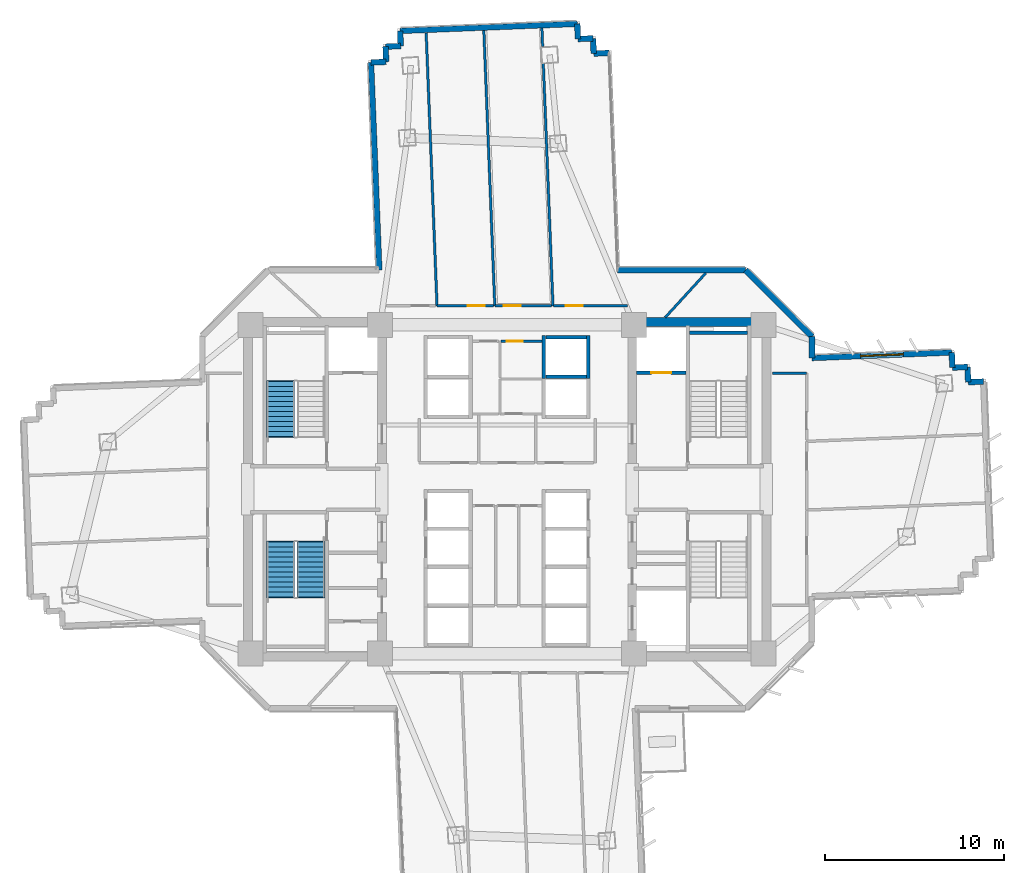
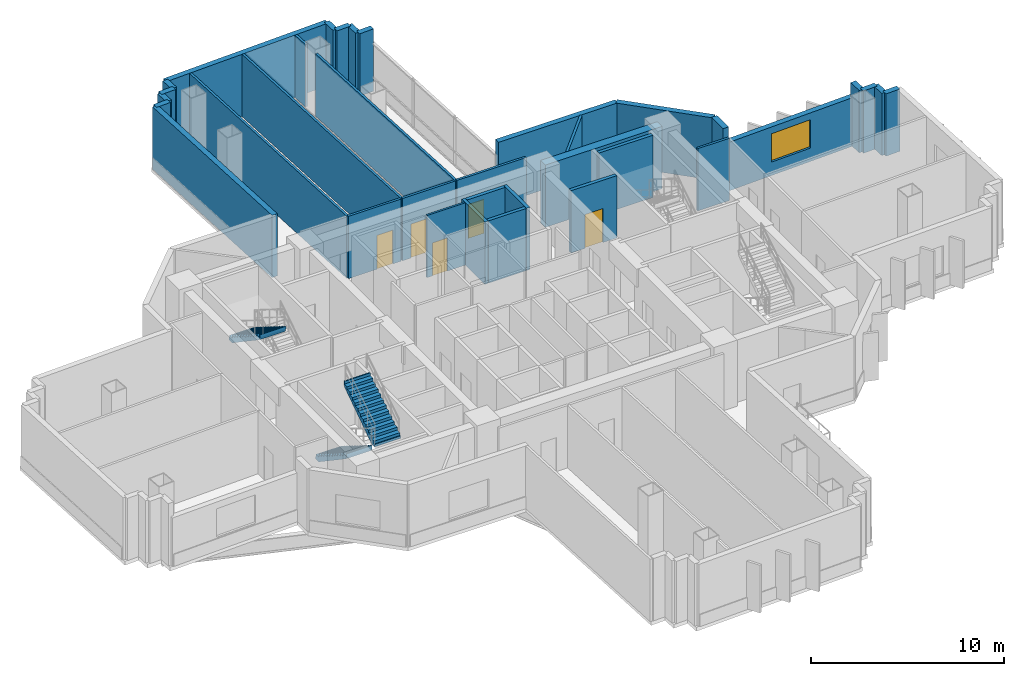
# One storey, part 10 of 16: 35 walls, 5 doors, 3 stair flights, 1 window, 6 openings, 2 elements without a shape of their own.
"""IFC4 building model written with IfcOpenShell, lengths in metres."""

from ifc_helpers import new_model, si_unit, direction, frame, frame_2d, origin, place, context, subcontext, project, spatial, polyline, rectangle, outline, extrude, source, transform, mapped, material, layer, layer_set, type_object, element, fill, aggregate, save


model = new_model("IFC4")

# Units and contexts
model_context = context("Model", 3, precision=1e-05, world=origin(), true_north=direction((0.0, 1.0)))
body_context = subcontext(model_context, "Body", "Model", "MODEL_VIEW")
ifc_project = project(units=[si_unit("LENGTHUNIT", "METRE"), si_unit("AREAUNIT", "SQUARE_METRE"), si_unit("VOLUMEUNIT", "CUBIC_METRE"), si_unit("PLANEANGLEUNIT", "RADIAN"), si_unit("MASSUNIT", "GRAM", prefix="KILO")], contexts=[model_context])

# Site, building, storey
site_placement = place(None, origin())
site = spatial("IfcSite", under=ifc_project, at=site_placement, CompositionType="ELEMENT")
building_placement = place(site_placement, origin())
building = spatial("IfcBuilding", under=site, at=building_placement, Name="Zahravan Cultural Tower", CompositionType="ELEMENT")
storey_placement = place(building_placement, frame((0.0, 0.0, 62.699951171875)))
storey = spatial("IfcBuildingStorey", under=building, at=storey_placement, Name="L13", CompositionType="ELEMENT", Elevation=62.699951171875)

# Wall, opening, window
ifc_material_1 = material(Name="Precast concrete C40/50", Category="concrete")
ifc_layer_1 = layer(ifc_material_1, 0.320068359375)
ifc_layer_set_1 = layer_set([ifc_layer_1], Name="Precast concrete C40/50")
wall_type_1 = type_object("IfcWallType", Name="EW-TC-320", PredefinedType="SOLIDWALL", material=ifc_layer_set_1)
wall_1_placement = place(storey_placement, frame((53.06005859375, 34.344482421875, 0.0), z_axis=(0.0, 0.0, 1.0), x_axis=(0.999208917222, 0.039768577336, 0.0)))
wall_1 = element("IfcWall", 1, at=wall_1_placement, inside=storey, type_object=wall_type_1, Name="L13 Exterior Masonry Frame Wall 01", PredefinedType="SOLIDWALL", context=body_context, shape_type="SweptSolid", body=[
    extrude(rectangle(XDim=7.821044921875, YDim=0.320068359375, at=frame_2d((3.91064453125, 0.0))), origin(), (0.0, 0.0, 1.0), 3.080078125),
])
opening_1_placement = place(wall_1_placement, frame((2.7109375, 0.0, 0.85009765625)))
opening_1 = element("IfcOpeningElement", 2, at=opening_1_placement, cuts=wall_1, Name="Opening WN-01", PredefinedType="OPENING", context=body_context, shape_type="SweptSolid", body=[
    extrude(rectangle(XDim=2.39990234375, YDim=1.800048828125, at=frame_2d((1.199951171875, 0.89990234375))), frame((0.0, 0.169921875, 0.0), z_axis=(0.0, -1.0, 0.0), x_axis=(1.0, 0.0, 0.0)), (0.0, 0.0, 1.0), 0.340087890625),
])
ifc_material_2 = material(Name="Low-E solar-control double glazing", Category="glass")
window_type = type_object("IfcWindowType", Name="WN-REC-2400X1800", PartitioningType="DOUBLE_PANEL_VERTICAL", PredefinedType="WINDOW", material=ifc_material_2)
shared_shape_1 = source(origin(), body_context, "Body", "SweptSolid", [
    extrude(rectangle(XDim=2.39990234375, YDim=1.800048828125, at=frame_2d((1.199951171875, 0.89990234375))), frame((0.0, 0.030029296875, 0.0), z_axis=(0.0, -1.0, 0.0), x_axis=(1.0, 0.0, 0.0)), (0.0, 0.0, 1.0), 0.06005859375),
])
window_placement = place(opening_1_placement, origin())
window = element("IfcWindow", 3, at=window_placement, inside=storey, type_object=window_type, Name="L13 Recessed Solar Window 01", OverallHeight=1.800048828125, OverallWidth=2.39990234375, PartitioningType="DOUBLE_PANEL_VERTICAL", PredefinedType="WINDOW", context=body_context, shape_type="MappedRepresentation", body=[
    mapped(shared_shape_1, transform((0.0, 0.0, 0.0), x_axis=(1.0, 0.0, 0.0), y_axis=(0.0, 1.0, 0.0), z_axis=(0.0, 0.0, 1.0), scale=1.0)),
])
fill(opening_1, window)

# Wall, opening, door
ifc_material_3 = material(Name="Gypsum plasterboard partition")
ifc_layer_2 = layer(ifc_material_3, 0.139892578125)
ifc_layer_set_2 = layer_set([ifc_layer_2], Name="Gypsum plasterboard partition")
wall_type_2 = type_object("IfcWallType", Name="W-PART-140", PredefinedType="PARTITIONING", material=ifc_layer_set_2)
wall_2_placement = place(storey_placement, frame((35.236083984375, 37.260009765625, 0.0), z_axis=(0.0, 0.0, 1.0), x_axis=(-1.0, 0.0, 0.0)))
wall_2 = element("IfcWall", 4, at=wall_2_placement, inside=storey, type_object=wall_type_2, Name="L13 Interior Wall 098", PredefinedType="PARTITIONING", context=body_context, shape_type="SweptSolid", body=[
    extrude(rectangle(XDim=3.157470703125, YDim=0.139892578125, at=frame_2d((1.57861328125, 0.0))), origin(), (0.0, 0.0, 1.0), 3.949951171875),
])
opening_2_placement = place(wall_2_placement, frame((0.485595703125, 0.0, 0.0)))
opening_2 = element("IfcOpeningElement", 5, at=opening_2_placement, cuts=wall_2, Name="Opening D-L13-26", PredefinedType="OPENING", context=body_context, shape_type="SweptSolid", body=[
    extrude(rectangle(XDim=0.949951171875, YDim=2.14990234375, at=frame_2d((0.47509765625, 1.074951171875))), frame((0.0, 0.079833984375, 0.0), z_axis=(0.0, -1.0, 0.0), x_axis=(1.0, 0.0, 0.0)), (0.0, 0.0, 1.0), 0.159912109375),
])
ifc_material_4 = material(Name="Anodised bronze-aluminium mullion", Category="aluminium")
door_type_1 = type_object("IfcDoorType", Name="DR-ROOM-950", OperationType="NOTDEFINED", PredefinedType="DOOR", material=ifc_material_4)
shared_shape_2 = source(origin(), body_context, "Body", "SweptSolid", [
    extrude(rectangle(XDim=0.949951171875, YDim=2.14990234375, at=frame_2d((0.47509765625, 1.074951171875))), frame((0.0, 0.02490234375, 0.0), z_axis=(0.0, -1.0, 0.0), x_axis=(1.0, 0.0, 0.0)), (0.0, 0.0, 1.0), 0.050048828125),
])
door_1_placement = place(opening_2_placement, origin())
door_1 = element("IfcDoor", 6, at=door_1_placement, inside=storey, type_object=door_type_1, Name="L13 Door D-L13-26", OperationType="SINGLE_SWING_RIGHT", OverallHeight=2.14990234375, OverallWidth=0.949951171875, PredefinedType="DOOR", context=body_context, shape_type="MappedRepresentation", body=[
    mapped(shared_shape_2, transform((0.0, 0.0, 0.0), x_axis=(1.0, 0.0, 0.0), y_axis=(0.0, 1.0, 0.0), z_axis=(0.0, 0.0, 1.0), scale=1.0)),
])
fill(opening_2, door_1)

wall_3_placement = place(storey_placement, frame((38.48876953125, 37.260009765625, 0.0), z_axis=(0.0, 0.0, 1.0), x_axis=(-1.0, 0.0, 0.0)))
wall_3 = element("IfcWall", 7, at=wall_3_placement, inside=storey, type_object=wall_type_2, Name="L13 Interior Wall 105", PredefinedType="PARTITIONING", context=body_context, shape_type="SweptSolid", body=[
    extrude(rectangle(XDim=3.157470703125, YDim=0.139892578125, at=frame_2d((1.57861328125, 0.0))), origin(), (0.0, 0.0, 1.0), 3.949951171875),
])
opening_3_placement = place(wall_3_placement, frame((1.7216796875, 0.0, 0.0)))
opening_3 = element("IfcOpeningElement", 8, at=opening_3_placement, cuts=wall_3, Name="Opening D-L13-25", PredefinedType="OPENING", context=body_context, shape_type="SweptSolid", body=[
    extrude(rectangle(XDim=0.949951171875, YDim=2.14990234375, at=frame_2d((0.47509765625, 1.074951171875))), frame((0.0, 0.079833984375, 0.0), z_axis=(0.0, -1.0, 0.0), x_axis=(1.0, 0.0, 0.0)), (0.0, 0.0, 1.0), 0.159912109375),
])
door_2_placement = place(opening_3_placement, origin())
door_2 = element("IfcDoor", 9, at=door_2_placement, inside=storey, type_object=door_type_1, Name="L13 Door D-L13-25", OperationType="SINGLE_SWING_LEFT", OverallHeight=2.14990234375, OverallWidth=0.949951171875, PredefinedType="DOOR", context=body_context, shape_type="MappedRepresentation", body=[
    mapped(shared_shape_2, transform((0.0, 0.0, 0.0), x_axis=(1.0, 0.0, 0.0), y_axis=(0.0, 1.0, 0.0), z_axis=(0.0, 0.0, 1.0), scale=1.0)),
])
fill(opening_3, door_2)

wall_4_placement = place(storey_placement, frame((42.742431640625, 37.259765625, 0.0), z_axis=(0.0, 0.0, 1.0), x_axis=(-0.999999998277, 5.8706117e-05, 0.0)))
wall_4 = element("IfcWall", 10, at=wall_4_placement, inside=storey, type_object=wall_type_2, Name="L13 Interior Wall 124", PredefinedType="PARTITIONING", context=body_context, shape_type="SweptSolid", body=[
    extrude(rectangle(XDim=4.15869140625, YDim=0.139892578125, at=frame_2d((2.079345703125, 0.0))), origin(), (0.0, 0.0, 1.0), 3.949951171875),
])
opening_4_placement = place(wall_4_placement, frame((2.502685546875, 0.0, 0.0)))
opening_4 = element("IfcOpeningElement", 11, at=opening_4_placement, cuts=wall_4, Name="Opening D-L13-24", PredefinedType="OPENING", context=body_context, shape_type="SweptSolid", body=[
    extrude(rectangle(XDim=0.949951171875, YDim=2.14990234375, at=frame_2d((0.47509765625, 1.074951171875))), frame((0.0, 0.079833984375, 0.0), z_axis=(0.0, -1.0, 0.0), x_axis=(1.0, 0.0, 0.0)), (0.0, 0.0, 1.0), 0.159912109375),
])
door_3_placement = place(opening_4_placement, origin())
door_3 = element("IfcDoor", 12, at=door_3_placement, inside=storey, type_object=door_type_1, Name="L13 Door D-L13-24", OperationType="SINGLE_SWING_RIGHT", OverallHeight=2.14990234375, OverallWidth=0.949951171875, PredefinedType="DOOR", context=body_context, shape_type="MappedRepresentation", body=[
    mapped(shared_shape_2, transform((0.0, 0.0, 0.0), x_axis=(1.0, 0.0, 0.0), y_axis=(0.0, 1.0, 0.0), z_axis=(0.0, 0.0, 1.0), scale=1.0)),
])
fill(opening_4, door_3)

ifc_material_5 = material(Name="Concrete C45/55", Category="concrete")
ifc_layer_3 = layer(ifc_material_5, 0.199951171875)
ifc_layer_set_3 = layer_set([ifc_layer_3], Name="Concrete C45/55")
wall_type_3 = type_object("IfcWallType", Name="W-SHAFT-200", PredefinedType="SOLIDWALL", material=ifc_layer_set_3)
wall_5_placement = place(storey_placement, frame((43.25, 33.52001953125, 0.0), z_axis=(0.0, 0.0, 1.0), x_axis=(1.0, 0.0, 0.0)))
wall_5 = element("IfcWall", 13, at=wall_5_placement, inside=storey, type_object=wall_type_3, Name="L13 Interior Wall 022", PredefinedType="SOLIDWALL", context=body_context, shape_type="SweptSolid", body=[
    extrude(rectangle(XDim=2.75, YDim=0.199951171875, at=frame_2d((1.375, 0.0))), origin(), (0.0, 0.0, 1.0), 3.949951171875),
])
opening_5_placement = place(wall_5_placement, frame((0.820068359375, 0.0, 0.0)))
opening_5 = element("IfcOpeningElement", 14, at=opening_5_placement, cuts=wall_5, Name="Opening LD-L13-02", PredefinedType="OPENING", context=body_context, shape_type="SweptSolid", body=[
    extrude(rectangle(XDim=1.10009765625, YDim=2.14990234375, at=frame_2d((0.550048828125, 1.074951171875))), frame((0.0, 0.10986328125, 0.0), z_axis=(0.0, -1.0, 0.0), x_axis=(1.0, 0.0, 0.0)), (0.0, 0.0, 1.0), 0.219970703125),
])
ifc_material_6 = material(Name="Steel ASTM A572 Grade 50", Category="steel")
door_type_2 = type_object("IfcDoorType", Name="DR-LIFT-1100", OperationType="DOUBLE_DOOR_SLIDING", PredefinedType="DOOR", material=ifc_material_6)
shared_shape_3 = source(origin(), body_context, "Body", "SweptSolid", [
    extrude(rectangle(XDim=1.10009765625, YDim=2.14990234375, at=frame_2d((0.550048828125, 1.074951171875))), frame((0.0, 0.02490234375, 0.0), z_axis=(0.0, -1.0, 0.0), x_axis=(1.0, 0.0, 0.0)), (0.0, 0.0, 1.0), 0.050048828125),
])
door_4_placement = place(opening_5_placement, origin())
door_4 = element("IfcDoor", 15, at=door_4_placement, inside=storey, type_object=door_type_2, Name="L13 Door LD-L13-02", OperationType="DOUBLE_DOOR_SLIDING", OverallHeight=2.14990234375, OverallWidth=1.10009765625, PredefinedType="DOOR", context=body_context, shape_type="MappedRepresentation", body=[
    mapped(shared_shape_3, transform((0.0, 0.0, 0.0), x_axis=(1.0, 0.0, 0.0), y_axis=(0.0, 1.0, 0.0), z_axis=(0.0, 0.0, 1.0), scale=1.0)),
])
fill(opening_5, door_4)

ifc_layer_4 = layer(ifc_material_3, 0.114990234375)
ifc_layer_set_4 = layer_set([ifc_layer_4], Name="Gypsum plasterboard partition")
wall_type_4 = type_object("IfcWallType", Name="W-WC-115", PredefinedType="PARTITIONING", material=ifc_layer_set_4)
wall_6_placement = place(storey_placement, frame((35.652587890625, 35.280029296875, 0.0), z_axis=(0.0, 0.0, 1.0), x_axis=(1.0, 0.0, 0.0)))
wall_6 = element("IfcWall", 16, at=wall_6_placement, inside=storey, type_object=wall_type_4, Name="L13 Interior Wall 073", PredefinedType="PARTITIONING", context=body_context, shape_type="SweptSolid", body=[
    extrude(rectangle(XDim=2.29248046875, YDim=0.114990234375, at=frame_2d((1.146240234375, 0.0))), origin(), (0.0, 0.0, 1.0), 3.949951171875),
])
opening_6_placement = place(wall_6_placement, frame((0.3203125, 0.0, 0.0)))
opening_6 = element("IfcOpeningElement", 17, at=opening_6_placement, cuts=wall_6, Name="Opening D-L13-14", PredefinedType="OPENING", context=body_context, shape_type="SweptSolid", body=[
    extrude(rectangle(XDim=0.89990234375, YDim=2.10009765625, at=frame_2d((0.449951171875, 1.050048828125))), frame((0.0, 0.0673828125, 0.0), z_axis=(0.0, -1.0, 0.0), x_axis=(1.0, 0.0, 0.0)), (0.0, 0.0, 1.0), 0.135009765625),
])
door_type_3 = type_object("IfcDoorType", Name="DR-WC-900", OperationType="NOTDEFINED", PredefinedType="DOOR", material=ifc_material_4)
shared_shape_4 = source(origin(), body_context, "Body", "SweptSolid", [
    extrude(rectangle(XDim=0.89990234375, YDim=2.10009765625, at=frame_2d((0.449951171875, 1.050048828125))), frame((0.0, 0.02490234375, 0.0), z_axis=(0.0, -1.0, 0.0), x_axis=(1.0, 0.0, 0.0)), (0.0, 0.0, 1.0), 0.050048828125),
])
door_5_placement = place(opening_6_placement, origin())
door_5 = element("IfcDoor", 18, at=door_5_placement, inside=storey, type_object=door_type_3, Name="L13 Door D-L13-14", OperationType="SINGLE_SWING_RIGHT", OverallHeight=2.10009765625, OverallWidth=0.89990234375, PredefinedType="DOOR", context=body_context, shape_type="MappedRepresentation", body=[
    mapped(shared_shape_4, transform((0.0, 0.0, 0.0), x_axis=(1.0, 0.0, 0.0), y_axis=(0.0, 1.0, 0.0), z_axis=(0.0, 0.0, 1.0), scale=1.0)),
])
fill(opening_6, door_5)

# Walls
ifc_material_7 = material(Name="Concrete C60/75", Category="concrete")
ifc_layer_5 = layer(ifc_material_7, 0.5)
ifc_layer_set_5 = layer_set([ifc_layer_5], Name="Concrete C60/75")
wall_type_5 = type_object("IfcWallType", Name="CW-SHEAR-500-C60", PredefinedType="SHEAR", material=ifc_layer_set_5)
shared_shape_5 = source(origin(), body_context, "Body", "SweptSolid", [
    extrude(rectangle(XDim=7.0, YDim=0.5, at=frame_2d((3.5, 0.0))), origin(), (0.0, 0.0, 1.0), 3.949951171875),
])
wall_7_placement = place(storey_placement, frame((43.25, 36.35009765625, 0.0), z_axis=(0.0, 0.0, 1.0), x_axis=(1.0, 0.0, 0.0)))
element("IfcWall", 19, at=wall_7_placement, inside=storey, type_object=wall_type_5, Name="L13 Core Shear Wall CW-E-N-L13", PredefinedType="SHEAR", context=body_context, shape_type="MappedRepresentation", body=[
    mapped(shared_shape_5, transform((0.0, 0.0, 0.0), x_axis=(1.0, 0.0, 0.0), y_axis=(0.0, 1.0, 0.0), z_axis=(0.0, 0.0, 1.0), scale=1.0)),
])
shared_shape_6 = source(origin(), body_context, "Body", "SweptSolid", [
    extrude(rectangle(XDim=0.849853515625, YDim=0.320068359375, at=frame_2d((0.4248046875, 0.0))), origin(), (0.0, 0.0, 1.0), 3.949951171875),
])
for number, where, z_axis, x_axis, name in (
    (20, (60.875, 34.655517578125, 0.0), (0.0, 0.0, 1.0), (0.039933618331, -0.999202334929, 0.0), "L13 Exterior Masonry Frame Wall 02"),
    (21, (28.38427734375, 50.8759765625, 0.0), (0.0, 0.0, 1.0), (0.999202334929, 0.039933618331, 0.0), "L13 Exterior Masonry Frame Wall 43"),
    (22, (29.2333984375, 50.909912109375, 0.0), (0.0, 0.0, 1.0), (-0.039646779332, 0.999213757356, 0.0), "L13 Exterior Masonry Frame Wall 44"),
    (23, (30.049072265625, 51.79296875, 0.0), (0.0, 0.0, 1.0), (-0.039933618331, 0.999202334929, 0.0), "L13 Exterior Masonry Frame Wall 46"),
    (24, (39.961181640625, 52.1875, 0.0), (0.0, 0.0, 1.0), (0.999213757356, 0.039646779332, 0.0), "L13 Exterior Masonry Frame Wall 49"),
    (25, (40.810302734375, 52.22119140625, 0.0), (0.0, 0.0, 1.0), (0.039933618331, -0.999202334929, 0.0), "L13 Exterior Masonry Frame Wall 50"),
):
    element("IfcWall", number, at=place(storey_placement, frame(where, z_axis=z_axis, x_axis=x_axis)), inside=storey, type_object=wall_type_1, Name=name, PredefinedType="SOLIDWALL", context=body_context, shape_type="MappedRepresentation", body=[
        mapped(shared_shape_6, transform((0.0, 0.0, 0.0), x_axis=(1.0, 0.0, 0.0), y_axis=(0.0, 1.0, 0.0), z_axis=(0.0, 0.0, 1.0), scale=1.0)),
    ])
shared_shape_7 = source(origin(), body_context, "Body", "SweptSolid", [
    extrude(rectangle(XDim=0.85009765625, YDim=0.320068359375, at=frame_2d((0.425048828125, 0.0))), origin(), (0.0, 0.0, 1.0), 3.949951171875),
])
for number, where, z_axis, x_axis, name in (
    (26, (60.908935546875, 33.806396484375, 0.0), (0.0, 0.0, 1.0), (0.999214208752, 0.039635401209, 0.0), "L13 Exterior Masonry Frame Wall 03"),
    (27, (61.75830078125, 33.840087890625, 0.0), (0.0, 0.0, 1.0), (0.039635401209, -0.999214208752, 0.0), "L13 Exterior Masonry Frame Wall 04"),
    (28, (61.7919921875, 32.99072265625, 0.0), (0.0, 0.0, 1.0), (0.999202792875, 0.039922158152, 0.0), "L13 Exterior Masonry Frame Wall 05"),
    (29, (29.19970703125, 51.759033203125, 0.0), (0.0, 0.0, 1.0), (0.999202792875, 0.039922158152, 0.0), "L13 Exterior Masonry Frame Wall 45"),
    (30, (39.92724609375, 53.036865234375, 0.0), (0.0, 0.0, 1.0), (0.039922158152, -0.999202792875, 0.0), "L13 Exterior Masonry Frame Wall 48"),
    (31, (40.84423828125, 51.3720703125, 0.0), (0.0, 0.0, 1.0), (0.999214208752, 0.039635401209, 0.0), "L13 Exterior Masonry Frame Wall 51"),
):
    element("IfcWall", number, at=place(storey_placement, frame(where, z_axis=z_axis, x_axis=x_axis)), inside=storey, type_object=wall_type_1, Name=name, PredefinedType="SOLIDWALL", context=body_context, shape_type="MappedRepresentation", body=[
        mapped(shared_shape_7, transform((0.0, 0.0, 0.0), x_axis=(1.0, 0.0, 0.0), y_axis=(0.0, 1.0, 0.0), z_axis=(0.0, 0.0, 1.0), scale=1.0)),
    ])
shared_shape_8 = source(origin(), body_context, "Body", "SweptSolid", [
    extrude(rectangle(XDim=9.919921875, YDim=0.320068359375, at=frame_2d((4.9599609375, 0.0))), origin(), (0.0, 0.0, 1.0), 3.949951171875),
])
wall_8_placement = place(storey_placement, frame((30.01513671875, 52.64208984375, 0.0), z_axis=(0.0, 0.0, 1.0), x_axis=(0.999207823998, 0.039796035749, 0.0)))
element("IfcWall", 32, at=wall_8_placement, inside=storey, type_object=wall_type_1, Name="L13 Exterior Masonry Frame Wall 47", PredefinedType="SOLIDWALL", context=body_context, shape_type="MappedRepresentation", body=[
    mapped(shared_shape_8, transform((0.0, 0.0, 0.0), x_axis=(1.0, 0.0, 0.0), y_axis=(0.0, 1.0, 0.0), z_axis=(0.0, 0.0, 1.0), scale=1.0)),
])
shared_shape_9 = source(origin(), body_context, "Body", "SweptSolid", [
    extrude(rectangle(XDim=5.258056640625, YDim=0.320068359375, at=frame_2d((2.62890625, 0.0))), origin(), (0.0, 0.0, 1.0), 3.949951171875),
])
wall_9_placement = place(storey_placement, frame((49.342041015625, 39.260009765625, 0.0), z_axis=(0.0, 0.0, 1.0), x_axis=(0.707106781187, -0.707106781187, 0.0)))
element("IfcWall", 33, at=wall_9_placement, inside=storey, type_object=wall_type_1, Name="L13 Exterior Masonry Frame Wall 53", PredefinedType="SOLIDWALL", context=body_context, shape_type="MappedRepresentation", body=[
    mapped(shared_shape_9, transform((0.0, 0.0, 0.0), x_axis=(1.0, 0.0, 0.0), y_axis=(0.0, 1.0, 0.0), z_axis=(0.0, 0.0, 1.0), scale=1.0)),
])
shared_shape_10 = source(origin(), body_context, "Body", "SweptSolid", [
    extrude(rectangle(XDim=1.197509765625, YDim=0.320068359375, at=frame_2d((0.5986328125, 0.0))), origin(), (0.0, 0.0, 1.0), 3.949951171875),
])
wall_10_placement = place(storey_placement, frame((53.06005859375, 35.5419921875, 0.0), z_axis=(0.0, 0.0, 1.0), x_axis=(0.0, -1.0, 0.0)))
element("IfcWall", 34, at=wall_10_placement, inside=storey, type_object=wall_type_1, Name="L13 Exterior Masonry Frame Wall 54", PredefinedType="SOLIDWALL", context=body_context, shape_type="MappedRepresentation", body=[
    mapped(shared_shape_10, transform((0.0, 0.0, 0.0), x_axis=(1.0, 0.0, 0.0), y_axis=(0.0, 1.0, 0.0), z_axis=(0.0, 0.0, 1.0), scale=1.0)),
])
shared_shape_11 = source(origin(), body_context, "Body", "SweptSolid", [
    extrude(rectangle(XDim=11.625244140625, YDim=0.320068359375, at=frame_2d((5.8125, 0.0))), origin(), (0.0, 0.0, 1.0), 3.949951171875),
])
wall_11_placement = place(storey_placement, frame((28.8466796875, 39.260009765625, 0.0), z_axis=(0.0, 0.0, 1.0), x_axis=(-0.039775975357, 0.999208622753, 0.0)))
element("IfcWall", 35, at=wall_11_placement, inside=storey, type_object=wall_type_1, Name="L13 Exterior Masonry Frame Wall 42", PredefinedType="SOLIDWALL", context=body_context, shape_type="MappedRepresentation", body=[
    mapped(shared_shape_11, transform((0.0, 0.0, 0.0), x_axis=(1.0, 0.0, 0.0), y_axis=(0.0, 1.0, 0.0), z_axis=(0.0, 0.0, 1.0), scale=1.0)),
])
shared_shape_12 = source(origin(), body_context, "Body", "SweptSolid", [
    extrude(rectangle(XDim=7.164794921875, YDim=0.320068359375, at=frame_2d((3.58251953125, 0.0))), origin(), (0.0, 0.0, 1.0), 3.949951171875),
])
wall_12_placement = place(storey_placement, frame((42.17724609375, 39.260009765625, 0.0), z_axis=(0.0, 0.0, 1.0), x_axis=(1.0, 0.0, 0.0)))
element("IfcWall", 36, at=wall_12_placement, inside=storey, type_object=wall_type_1, Name="L13 Exterior Masonry Frame Wall 52", PredefinedType="SOLIDWALL", context=body_context, shape_type="MappedRepresentation", body=[
    mapped(shared_shape_12, transform((0.0, 0.0, 0.0), x_axis=(1.0, 0.0, 0.0), y_axis=(0.0, 1.0, 0.0), z_axis=(0.0, 0.0, 1.0), scale=1.0)),
])
shared_shape_13 = source(origin(), body_context, "Body", "SweptSolid", [
    extrude(rectangle(XDim=3.25, YDim=0.199951171875, at=frame_2d((1.625, 0.0))), origin(), (0.0, 0.0, 1.0), 3.949951171875),
])
wall_13_placement = place(storey_placement, frame((46.199951171875, 35.75, 0.0), z_axis=(0.0, 0.0, 1.0), x_axis=(1.0, 0.0, 0.0)))
element("IfcWall", 37, at=wall_13_placement, inside=storey, type_object=wall_type_3, Name="L13 Interior Wall 018", PredefinedType="SOLIDWALL", context=body_context, shape_type="MappedRepresentation", body=[
    mapped(shared_shape_13, transform((0.0, 0.0, 0.0), x_axis=(1.0, 0.0, 0.0), y_axis=(0.0, 1.0, 0.0), z_axis=(0.0, 0.0, 1.0), scale=1.0)),
])
shared_shape_14 = source(origin(), body_context, "Body", "SweptSolid", [
    extrude(rectangle(XDim=2.400146484375, YDim=0.199951171875, at=frame_2d((1.2001953125, 0.0))), origin(), (0.0, 0.0, 1.0), 3.949951171875),
])
for number, where, z_axis, x_axis, name in (
    (38, (38.050048828125, 33.199951171875, 0.0), (0.0, 0.0, 1.0), (0.0, 1.0, 0.0), "L13 Interior Wall 036"),
    (39, (40.550048828125, 33.199951171875, 0.0), (0.0, 0.0, 1.0), (0.0, 1.0, 0.0), "L13 Interior Wall 037"),
):
    element("IfcWall", number, at=place(storey_placement, frame(where, z_axis=z_axis, x_axis=x_axis)), inside=storey, type_object=wall_type_3, Name=name, PredefinedType="SOLIDWALL", context=body_context, shape_type="MappedRepresentation", body=[
        mapped(shared_shape_14, transform((0.0, 0.0, 0.0), x_axis=(1.0, 0.0, 0.0), y_axis=(0.0, 1.0, 0.0), z_axis=(0.0, 0.0, 1.0), scale=1.0)),
    ])
shared_shape_15 = source(origin(), body_context, "Body", "SweptSolid", [
    extrude(rectangle(XDim=2.260009765625, YDim=0.199951171875, at=frame_2d((1.1298828125, 0.0))), origin(), (0.0, 0.0, 1.0), 3.949951171875),
])
for number, where, z_axis, x_axis, name in (
    (40, (38.169921875, 33.300048828125, 0.0), (0.0, 0.0, 1.0), (1.0, 0.0, 0.0), "L13 Interior Wall 038"),
    (41, (38.169921875, 35.5, 0.0), (0.0, 0.0, 1.0), (1.0, 0.0, 0.0), "L13 Interior Wall 039"),
):
    element("IfcWall", number, at=place(storey_placement, frame(where, z_axis=z_axis, x_axis=x_axis)), inside=storey, type_object=wall_type_3, Name=name, PredefinedType="SOLIDWALL", context=body_context, shape_type="MappedRepresentation", body=[
        mapped(shared_shape_15, transform((0.0, 0.0, 0.0), x_axis=(1.0, 0.0, 0.0), y_axis=(0.0, 1.0, 0.0), z_axis=(0.0, 0.0, 1.0), scale=1.0)),
    ])
shared_shape_16 = source(origin(), body_context, "Body", "SweptSolid", [
    extrude(rectangle(XDim=15.415771484375, YDim=0.139892578125, at=frame_2d((7.7080078125, 0.0))), origin(), (0.0, 0.0, 1.0), 3.949951171875),
])
wall_14_placement = place(storey_placement, frame((34.697998046875, 52.66357421875, 0.0), z_axis=(0.0, 0.0, 1.0), x_axis=(0.039782723686, -0.999208354096, 0.0)))
element("IfcWall", 42, at=wall_14_placement, inside=storey, type_object=wall_type_2, Name="L13 Interior Wall 097", PredefinedType="PARTITIONING", context=body_context, shape_type="MappedRepresentation", body=[
    mapped(shared_shape_16, transform((0.0, 0.0, 0.0), x_axis=(1.0, 0.0, 0.0), y_axis=(0.0, 1.0, 0.0), z_axis=(0.0, 0.0, 1.0), scale=1.0)),
])
shared_shape_17 = source(origin(), body_context, "Body", "SweptSolid", [
    extrude(rectangle(XDim=15.2861328125, YDim=0.139892578125, at=frame_2d((7.64306640625, 0.0))), origin(), (0.0, 0.0, 1.0), 3.949951171875),
])
wall_15_placement = place(storey_placement, frame((32.07861328125, 37.260986328125, 0.0), z_axis=(0.0, 0.0, 1.0), x_axis=(-0.039769031662, 0.99920889914, 0.0)))
element("IfcWall", 43, at=wall_15_placement, inside=storey, type_object=wall_type_2, Name="L13 Interior Wall 099", PredefinedType="PARTITIONING", context=body_context, shape_type="MappedRepresentation", body=[
    mapped(shared_shape_17, transform((0.0, 0.0, 0.0), x_axis=(1.0, 0.0, 0.0), y_axis=(0.0, 1.0, 0.0), z_axis=(0.0, 0.0, 1.0), scale=1.0)),
])
shared_shape_18 = source(origin(), body_context, "Body", "SweptSolid", [
    extrude(rectangle(XDim=1.01611328125, YDim=0.139892578125, at=frame_2d((0.508056640625, 0.0))), origin(), (0.0, 0.0, 1.0), 3.949951171875),
])
wall_16_placement = place(storey_placement, frame((37.9453125, 52.792724609375, 0.0), z_axis=(0.0, 0.0, 1.0), x_axis=(0.03988168596, -0.99920440908, 0.0)))
element("IfcWall", 44, at=wall_16_placement, inside=storey, type_object=wall_type_2, Name="L13 Interior Wall 103", PredefinedType="PARTITIONING", context=body_context, shape_type="MappedRepresentation", body=[
    mapped(shared_shape_18, transform((0.0, 0.0, 0.0), x_axis=(1.0, 0.0, 0.0), y_axis=(0.0, 1.0, 0.0), z_axis=(0.0, 0.0, 1.0), scale=1.0)),
])
shared_shape_19 = source(origin(), body_context, "Body", "SweptSolid", [
    extrude(rectangle(XDim=13.568115234375, YDim=0.139892578125, at=frame_2d((6.7841796875, 0.0))), origin(), (0.0, 0.0, 1.0), 3.949951171875),
])
wall_17_placement = place(storey_placement, frame((38.024169921875, 50.8173828125, 0.0), z_axis=(0.0, 0.0, 1.0), x_axis=(0.039766111253, -0.99920901537, 0.0)))
element("IfcWall", 45, at=wall_17_placement, inside=storey, type_object=wall_type_2, Name="L13 Interior Wall 104", PredefinedType="PARTITIONING", context=body_context, shape_type="MappedRepresentation", body=[
    mapped(shared_shape_19, transform((0.0, 0.0, 0.0), x_axis=(1.0, 0.0, 0.0), y_axis=(0.0, 1.0, 0.0), z_axis=(0.0, 0.0, 1.0), scale=1.0)),
])
shared_shape_20 = source(origin(), body_context, "Body", "SweptSolid", [
    extrude(rectangle(XDim=3.374755859375, YDim=0.139892578125, at=frame_2d((1.6875, 0.0))), origin(), (0.0, 0.0, 1.0), 3.949951171875),
])
wall_18_placement = place(storey_placement, frame((44.838134765625, 36.60498046875, 0.0), z_axis=(0.0, 0.0, 1.0), x_axis=(0.674974079893, 0.737841440604, 0.0)))
element("IfcWall", 46, at=wall_18_placement, inside=storey, type_object=wall_type_2, Name="L13 Interior Wall 118", PredefinedType="PARTITIONING", context=body_context, shape_type="MappedRepresentation", body=[
    mapped(shared_shape_20, transform((0.0, 0.0, 0.0), x_axis=(1.0, 0.0, 0.0), y_axis=(0.0, 1.0, 0.0), z_axis=(0.0, 0.0, 1.0), scale=1.0)),
])
shared_shape_21 = source(origin(), body_context, "Body", "SweptSolid", [
    extrude(rectangle(XDim=1.897705078125, YDim=0.139892578125, at=frame_2d((0.94873046875, 0.0))), origin(), (0.0, 0.0, 1.0), 3.949951171875),
])
wall_19_placement = place(storey_placement, frame((52.748779296875, 33.49755859375, 0.0), z_axis=(0.0, 0.0, 1.0), x_axis=(-0.999999702083, 0.00077190251, 0.0)))
element("IfcWall", 47, at=wall_19_placement, inside=storey, type_object=wall_type_2, Name="L13 Interior Wall 120", PredefinedType="PARTITIONING", context=body_context, shape_type="MappedRepresentation", body=[
    mapped(shared_shape_21, transform((0.0, 0.0, 0.0), x_axis=(1.0, 0.0, 0.0), y_axis=(0.0, 1.0, 0.0), z_axis=(0.0, 0.0, 1.0), scale=1.0)),
])

# Stair, stair flight
stair_type = type_object("IfcStairType", Name="STR-DL-1550-420", PredefinedType="HALF_TURN_STAIR", material=ifc_material_5)
stair_1_placement = place(storey_placement, origin())
stair_1 = element("IfcStair", 48, at=stair_1_placement, inside=storey, type_object=stair_type, Name="L13 West Core North Exit Stair ST-W1", PredefinedType="HALF_TURN_STAIR")
stair_flight_type = type_object("IfcStairFlightType", Name="FLG-DL-1550-420", PredefinedType="STRAIGHT", material=ifc_material_5)
stair_flight_1_placement = place(storey_placement, frame((23.324951171875, 33.030029296875, 2.10009765625), z_axis=(0.0, 0.0, 1.0), x_axis=(0.0, -1.0, 0.0)))
stair_flight_1 = element("IfcStairFlight", 49, at=stair_flight_1_placement, type_object=stair_flight_type, Name="ST-W1 flight 2", NumberOfRisers=12, NumberOfTreads=11, PredefinedType="STRAIGHT", RiserHeight=0.175, TreadLength=0.28, context=body_context, shape_type="SweptSolid", body=[
    extrude(outline(polyline([(-0.06494140625, -0.139892578125), (-0.06494140625, 0.0), (0.0, 0.0), (0.0, 0.175048828125), (0.280029296875, 0.175048828125), (0.280029296875, 0.35009765625), (0.56005859375, 0.35009765625), (0.56005859375, 0.52490234375), (0.840087890625, 0.52490234375), (0.840087890625, 0.699951171875), (1.1201171875, 0.699951171875), (1.1201171875, 0.875), (1.39990234375, 0.875), (1.39990234375, 1.050048828125), (1.679931640625, 1.050048828125), (1.679931640625, 1.22509765625), (1.9599609375, 1.22509765625), (1.9599609375, 1.39990234375), (2.239990234375, 1.39990234375), (2.239990234375, 1.574951171875), (2.52001953125, 1.574951171875), (2.52001953125, 1.75), (2.800048828125, 1.75), (2.800048828125, 1.925048828125), (3.080078125, 1.925048828125), (3.080078125, 2.10009765625), (3.14501953125, 2.10009765625), (3.14501953125, 1.9501953125), (3.080078125, 1.748291015625), (0.28271484375, -0.139892578125), (-0.06494140625, -0.139892578125)])), frame((0.0, 0.77490234375, 0.0), z_axis=(0.0, -1.0, 0.0), x_axis=(1.0, 0.0, 0.0)), (0.0, 0.0, 1.0), 1.550048828125),
])
aggregate(stair_1, [stair_flight_1])

# Stair, stair flights
stair_2_placement = place(storey_placement, origin())
stair_2 = element("IfcStair", 50, at=stair_2_placement, inside=storey, type_object=stair_type, Name="L13 West Core South Exit Stair ST-W2", PredefinedType="HALF_TURN_STAIR")
stair_flight_2_placement = place(storey_placement, frame((23.324951171875, 24.050048828125, 0.0), z_axis=(0.0, 0.0, 1.0), x_axis=(0.0, -1.0, 0.0)))
stair_flight_2 = element("IfcStairFlight", 51, at=stair_flight_2_placement, type_object=stair_flight_type, Name="ST-W2 flight 1", NumberOfRisers=12, NumberOfTreads=11, PredefinedType="STRAIGHT", RiserHeight=0.175, TreadLength=0.28, context=body_context, shape_type="SweptSolid", body=[
    extrude(outline(polyline([(-0.06494140625, -0.139892578125), (-0.06494140625, 0.0), (0.0, 0.0), (0.0, 0.175048828125), (0.280029296875, 0.175048828125), (0.280029296875, 0.35009765625), (0.56005859375, 0.35009765625), (0.56005859375, 0.52490234375), (0.840087890625, 0.52490234375), (0.840087890625, 0.699951171875), (1.1201171875, 0.699951171875), (1.1201171875, 0.875), (1.39990234375, 0.875), (1.39990234375, 1.050048828125), (1.679931640625, 1.050048828125), (1.679931640625, 1.22509765625), (1.9599609375, 1.22509765625), (1.9599609375, 1.39990234375), (2.239990234375, 1.39990234375), (2.239990234375, 1.574951171875), (2.52001953125, 1.574951171875), (2.52001953125, 1.75), (2.800048828125, 1.75), (2.800048828125, 1.925048828125), (3.080078125, 1.925048828125), (3.080078125, 2.10009765625), (3.14501953125, 2.10009765625), (3.14501953125, 1.9501953125), (3.080078125, 1.748291015625), (0.28271484375, -0.139892578125), (-0.06494140625, -0.139892578125)])), frame((0.0, 0.77490234375, 0.0), z_axis=(0.0, -1.0, 0.0), x_axis=(1.0, 0.0, 0.0)), (0.0, 0.0, 1.0), 1.550048828125),
])
stair_flight_3_placement = place(storey_placement, frame((25.02490234375, 20.969970703125, 2.10009765625), z_axis=(0.0, 0.0, 1.0), x_axis=(0.0, 1.0, 0.0)))
stair_flight_3 = element("IfcStairFlight", 52, at=stair_flight_3_placement, type_object=stair_flight_type, Name="ST-W2 flight 2", NumberOfRisers=12, NumberOfTreads=11, PredefinedType="STRAIGHT", RiserHeight=0.175, TreadLength=0.28, context=body_context, shape_type="SweptSolid", body=[
    extrude(outline(polyline([(-0.06494140625, -0.139892578125), (-0.06494140625, 0.0), (0.0, 0.0), (0.0, 0.175048828125), (0.280029296875, 0.175048828125), (0.280029296875, 0.35009765625), (0.56005859375, 0.35009765625), (0.56005859375, 0.52490234375), (0.840087890625, 0.52490234375), (0.840087890625, 0.699951171875), (1.1201171875, 0.699951171875), (1.1201171875, 0.875), (1.39990234375, 0.875), (1.39990234375, 1.050048828125), (1.679931640625, 1.050048828125), (1.679931640625, 1.22509765625), (1.9599609375, 1.22509765625), (1.9599609375, 1.39990234375), (2.239990234375, 1.39990234375), (2.239990234375, 1.574951171875), (2.52001953125, 1.574951171875), (2.52001953125, 1.75), (2.800048828125, 1.75), (2.800048828125, 1.925048828125), (3.080078125, 1.925048828125), (3.080078125, 2.10009765625), (3.14501953125, 2.10009765625), (3.14501953125, 1.9501953125), (3.080078125, 1.748291015625), (0.28271484375, -0.139892578125), (-0.06494140625, -0.139892578125)])), frame((0.0, 0.77490234375, 0.0), z_axis=(0.0, -1.0, 0.0), x_axis=(1.0, 0.0, 0.0)), (0.0, 0.0, 1.0), 1.550048828125),
])
aggregate(stair_2, [stair_flight_2, stair_flight_3])

save(model, "model.ifc")
